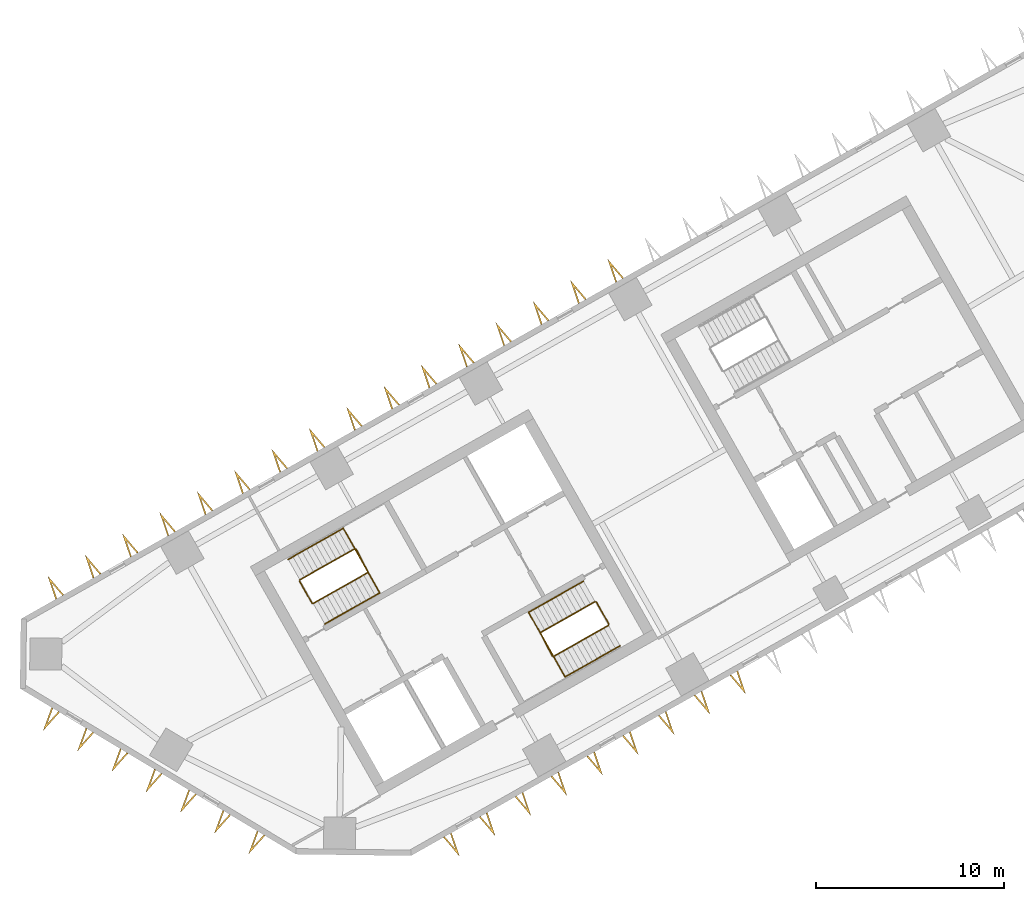
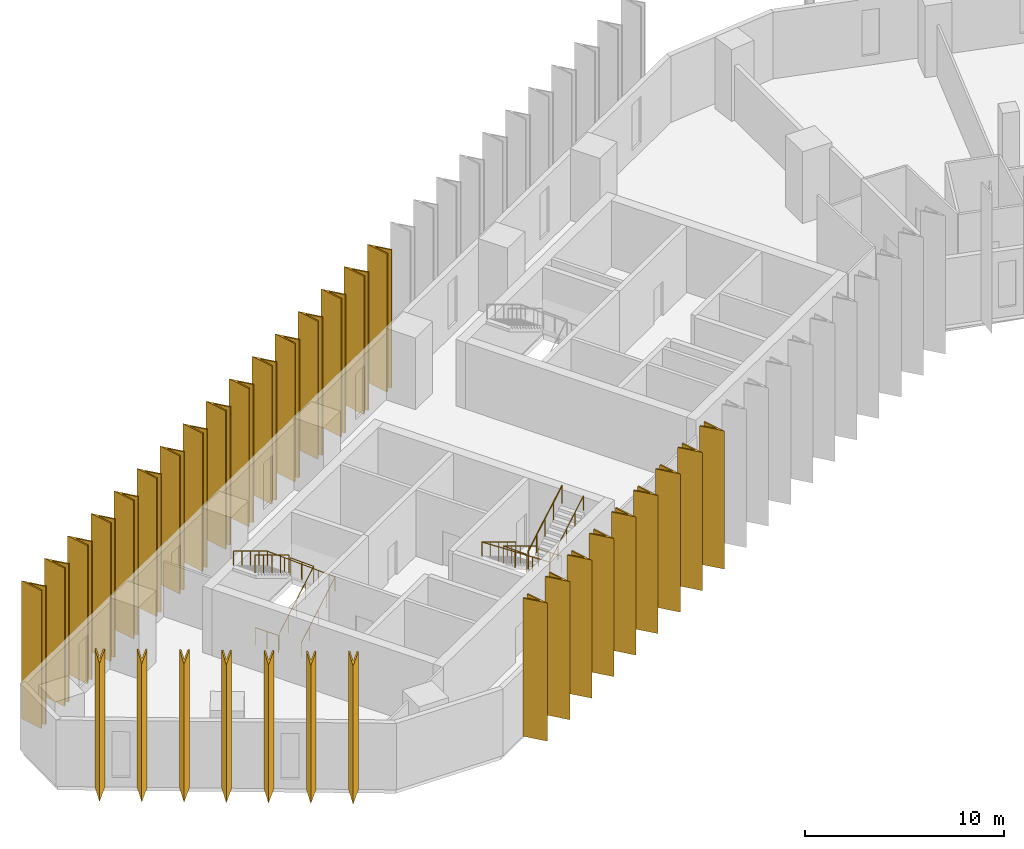
# One storey, part 9 of 11: 32 shading devices, 8 railings.
"""IFC4 building model written with IfcOpenShell, lengths in metres."""

import ifcopenshell
import ifcopenshell.guid

model = None  # the IFC model being written
_history = None  # IfcOwnerHistory: only IFC2X3 demands one
_inside = {}  # id of a spatial element -> (the spatial element, [elements in it])
_under = {}  # id of a project, library or spatial element -> (it, [spatial elements below it])
_declared = {}  # id of a project -> (the project, [libraries it declares])
_typed = {}  # id of a type object -> (the type object, [elements of that type])
_made_of = {}  # id of a material, layer set ... -> (it, [elements and type objects made of it])


def new_model(schema):
    """Start an empty IFC model of exactly this schema.

    Asked for "IFC4X3", IfcOpenShell would pick the latest addendum, in which some entities
    have other attributes; the version numbers below select the first issue.
    IFC2X3 requires an IfcOwnerHistory on every rooted entity: one is made here for all.
    """
    global model, _history
    if schema == "IFC4X3":
        model = ifcopenshell.file(schema_version=(4, 3, 0, 0))
    else:
        model = ifcopenshell.file(schema=schema)
    _inside.clear()
    _under.clear()
    _declared.clear()
    _typed.clear()
    _made_of.clear()
    _history = None
    if model.schema == "IFC2X3":
        org = make("IfcOrganization", Name="unknown")
        user = make(
            "IfcPersonAndOrganization",
            ThePerson=make("IfcPerson", FamilyName="unknown"),
            TheOrganization=org,
        )
        app = make(
            "IfcApplication",
            ApplicationDeveloper=org,
            Version="unknown",
            ApplicationFullName="unknown",
            ApplicationIdentifier="unknown",
        )
        _history = make(
            "IfcOwnerHistory",
            OwningUser=user,
            OwningApplication=app,
            ChangeAction="ADDED",
            CreationDate=0,
        )
    return model


def make(cls, **values):
    """One entity of the class cls with the attributes given. An attribute that is None is left unset."""
    return model.create_entity(
        cls, **{name: value for name, value in values.items() if value is not None}
    )


def rooted(cls, **values):
    """An entity with a GlobalId (a new one), such as an element, a storey or a relation."""
    return make(cls, GlobalId=ifcopenshell.guid.new(), OwnerHistory=_history, **values)


def si_unit(unit_type, name, prefix=None):
    """IfcSIUnit, for example si_unit("LENGTHUNIT", "METRE", prefix="MILLI")."""
    return make("IfcSIUnit", UnitType=unit_type, Prefix=prefix, Name=name)


def assignment(units):
    """IfcUnitAssignment: the units of a project."""
    return None if units is None else make("IfcUnitAssignment", Units=units)


def point(xyz):
    """IfcCartesianPoint."""
    return None if xyz is None else make("IfcCartesianPoint", Coordinates=xyz)


def direction(xyz):
    """IfcDirection."""
    return None if xyz is None else make("IfcDirection", DirectionRatios=xyz)


def frame(location, z_axis=None, x_axis=None):
    """IfcAxis2Placement3D, a coordinate frame: its origin and axes. An axis left out is left unset."""
    return make(
        "IfcAxis2Placement3D",
        Location=point(location),
        Axis=direction(z_axis),
        RefDirection=direction(x_axis),
    )


def frame_2d(location, x_axis=None):
    """IfcAxis2Placement2D, a coordinate frame in the plane: its origin and x axis."""
    return make(
        "IfcAxis2Placement2D", Location=point(location), RefDirection=direction(x_axis)
    )


def origin():
    """The frame at (0, 0, 0) with its axes left unset."""
    return frame((0.0, 0.0, 0.0))


def origin_2d():
    """The frame at (0, 0) in the plane with its x axis left unset."""
    return frame_2d((0.0, 0.0))


def place(relative_to, where):
    """IfcLocalPlacement: puts the frame where relative to a parent placement (None: the world)."""
    return make(
        "IfcLocalPlacement", PlacementRelTo=relative_to, RelativePlacement=where
    )


def context(
    kind, dimensions, precision=None, world=None, true_north=None, identifier=None
):
    """IfcGeometricRepresentationContext, for example the 3D "Model" context."""
    return make(
        "IfcGeometricRepresentationContext",
        ContextIdentifier=identifier,
        ContextType=kind,
        CoordinateSpaceDimension=dimensions,
        Precision=precision,
        WorldCoordinateSystem=world,
        TrueNorth=true_north,
    )


def subcontext(parent, identifier, kind, view, scale=None):
    """IfcGeometricRepresentationSubContext, for example "Body" below "Model"."""
    return make(
        "IfcGeometricRepresentationSubContext",
        ContextIdentifier=identifier,
        ContextType=kind,
        ParentContext=parent,
        TargetScale=scale,
        TargetView=view,
    )


def project(units=None, contexts=None):
    """IfcProject with its units and contexts."""
    return rooted(
        "IfcProject",
        Name="project",
        RepresentationContexts=contexts,
        UnitsInContext=assignment(units),
    )


def spatial(cls, under=None, at=None, **own):
    """A site, building, storey or space (cls), placed at a placement, below another one or the project."""
    s = rooted(cls, ObjectPlacement=at, **own)
    if under is not None:
        _under.setdefault(under.id(), (under, []))[1].append(s)
    return s


def polyline(points):
    """IfcPolyline through the points."""
    return make("IfcPolyline", Points=[point(p) for p in points])


def profile(cls, at=None, kind="AREA", **sizes):
    """A parametric profile (cls). Its sizes go by their IFC names, for example OverallWidth=200.0."""
    return make(cls, ProfileType=kind, Position=at, **sizes)


def circle(**sizes):
    """IfcCircleProfileDef."""
    return profile("IfcCircleProfileDef", **sizes)


def outline(outer, holes=None, kind="AREA"):
    """IfcArbitraryClosedProfileDef: a profile drawn as a closed curve; with holes, ...WithVoids."""
    if holes is None:
        return make("IfcArbitraryClosedProfileDef", ProfileType=kind, OuterCurve=outer)
    return make(
        "IfcArbitraryProfileDefWithVoids",
        ProfileType=kind,
        OuterCurve=outer,
        InnerCurves=holes,
    )


def extrude(swept, where, along, depth):
    """IfcExtrudedAreaSolid: the profile swept, set in the frame where, extruded along a direction by depth."""
    return make(
        "IfcExtrudedAreaSolid",
        SweptArea=swept,
        Position=where,
        ExtrudedDirection=direction(along),
        Depth=depth,
    )


def shape(context_of_items, identifier, shape_type, items):
    """IfcShapeRepresentation: the items that make up one representation, for example the "Body"."""
    return make(
        "IfcShapeRepresentation",
        ContextOfItems=context_of_items,
        RepresentationIdentifier=identifier,
        RepresentationType=shape_type,
        Items=items,
    )


def material(Name=None, Category=None):
    """IfcMaterial."""
    return make("IfcMaterial", Name=Name, Category=Category)


def made_of(thing, what):
    """Note that an element or type object is made of a material, layer set ...; save() writes the relation."""
    if what is not None:
        _made_of.setdefault(what.id(), (what, []))[1].append(thing)
    return thing


def type_object(cls, material=None, **own):
    """A type object (cls), such as IfcWallType, which elements share."""
    return made_of(rooted(cls, **own), material)


def element(
    cls,
    number,
    at=None,
    inside=None,
    cuts=None,
    type_object=None,
    material=None,
    context=None,
    identifier="Body",
    shape_type=None,
    held_by="IfcProductDefinitionShape",
    body=None,
    shapes=None,
    **own,
):
    """One element of the class cls, such as IfcWall. Its Tag is "e" and its number.

    at: its placement. inside: the storey or other place that contains it. cuts: it is an
    opening in that element (IfcRelVoidsElement). A single representation is given by context,
    identifier, shape_type and body (its items); several are given by shapes. held_by: the class
    of the entity that holds the representations. save() writes the other relations.
    """
    e = rooted(cls, Tag="e%d" % number, ObjectPlacement=at, **own)
    if body is not None:
        shapes = [shape(context, identifier, shape_type, body)]
    if shapes is not None:
        e.Representation = make(held_by, Representations=shapes)
    if inside is not None:
        _inside.setdefault(inside.id(), (inside, []))[1].append(e)
    if cuts is not None:
        rooted(
            "IfcRelVoidsElement", RelatingBuildingElement=cuts, RelatedOpeningElement=e
        )
    if type_object is not None:
        _typed.setdefault(type_object.id(), (type_object, []))[1].append(e)
    return made_of(e, material)


def aggregate(whole, parts):
    """IfcRelAggregates: a whole, such as a stair, and the parts it consists of."""
    return rooted("IfcRelAggregates", RelatingObject=whole, RelatedObjects=parts)


def save(model, path):
    """Write the relations noted so far, then the file.

    IfcRelAggregates (storeys below a building ...), IfcRelContainedInSpatialStructure (elements
    in a storey), IfcRelDefinesByType, IfcRelAssociatesMaterial and IfcRelDeclares: one each for
    every whole, place, type object, material and project.
    """
    for whole, parts in _under.values():
        aggregate(whole, parts)
    for where, things in _inside.values():
        rooted(
            "IfcRelContainedInSpatialStructure",
            RelatedElements=things,
            RelatingStructure=where,
        )
    for kind, things in _typed.values():
        rooted("IfcRelDefinesByType", RelatedObjects=things, RelatingType=kind)
    for what, things in _made_of.values():
        rooted("IfcRelAssociatesMaterial", RelatedObjects=things, RelatingMaterial=what)
    for by, libraries in _declared.values():
        rooted("IfcRelDeclares", RelatingContext=by, RelatedDefinitions=libraries)
    model.write(path)


model = new_model("IFC4")

# Units and contexts
model_context = context("Model", 3, precision=1e-05, world=origin(), true_north=direction((0.0, 1.0)))
body_context = subcontext(model_context, "Body", "Model", "MODEL_VIEW")
ifc_project = project(units=[si_unit("LENGTHUNIT", "METRE"), si_unit("AREAUNIT", "SQUARE_METRE"), si_unit("VOLUMEUNIT", "CUBIC_METRE"), si_unit("PLANEANGLEUNIT", "RADIAN"), si_unit("MASSUNIT", "GRAM", prefix="KILO")], contexts=[model_context])

# Site, building, storey
site_placement = place(None, origin())
site = spatial("IfcSite", under=ifc_project, at=site_placement, CompositionType="ELEMENT")
building_placement = place(site_placement, origin())
building = spatial("IfcBuilding", under=site, at=building_placement, Name="Binnacle Exchange Tower", CompositionType="ELEMENT")
storey_placement = place(building_placement, frame((0.0, 0.0, 114.699951171875)))
storey = spatial("IfcBuildingStorey", under=building, at=storey_placement, Name="L23", CompositionType="ELEMENT", Elevation=114.699951171875)

# Railings
ifc_material_1 = material(Name="Steel guard rail", Category="steel")
railing_type_1 = type_object("IfcRailingType", Name="STAIR GUARD 1100", PredefinedType="GUARDRAIL", material=ifc_material_1)
railing_1_placement = place(storey_placement, frame((-43.26171875, 39.71728515625, 0.169189453125)))
element("IfcRailing", 1, at=railing_1_placement, inside=storey, type_object=railing_type_1, Name="L23 STA1 stair guard 1", PredefinedType="GUARDRAIL", context=body_context, shape_type="SweptSolid", body=[
    extrude(circle(Radius=0.02392578125, at=origin_2d()), frame((0.0, 0.0, 1.076171875), z_axis=(0.744867460262, 0.421436531824, 0.517265614832), x_axis=(-0.492433119026, 0.870350287693, 0.0)), (0.0, 0.0, 1.0), 3.926025390625),
    extrude(circle(Radius=0.02392578125, at=origin_2d()), frame((2.92431640625, 1.654541015625, 3.10693359375), z_axis=(-0.460963092712, 0.887419307406, 0.0), x_axis=(-0.887419307406, -0.460963092712, 0.0)), (0.0, 0.0, 1.0), 1.40087890625),
    extrude(circle(Radius=0.02099609375, at=origin_2d()), origin(), (0.0, 0.0, 1.0), 1.052001953125),
    extrude(circle(Radius=0.02099609375, at=origin_2d()), frame((0.73095703125, 0.41357421875, 0.5078125)), (0.0, 0.0, 1.0), 1.052001953125),
    extrude(circle(Radius=0.02099609375, at=origin_2d()), frame((1.462158203125, 0.8271484375, 1.015380859375)), (0.0, 0.0, 1.0), 1.052001953125),
    extrude(circle(Radius=0.02099609375, at=origin_2d()), frame((2.193359375, 1.240966796875, 1.52294921875)), (0.0, 0.0, 1.0), 1.052001953125),
    extrude(circle(Radius=0.02099609375, at=origin_2d()), frame((2.92431640625, 1.654541015625, 2.03076171875)), (0.0, 0.0, 1.0), 1.052001953125),
    extrude(circle(Radius=0.02099609375, at=origin_2d()), frame((2.6015625, 2.276123046875, 2.03076171875)), (0.0, 0.0, 1.0), 1.052001953125),
    extrude(circle(Radius=0.02099609375, at=origin_2d()), frame((2.278564453125, 2.897705078125, 2.03076171875)), (0.0, 0.0, 1.0), 1.052001953125),
])
railing_2_placement = place(storey_placement, frame((-41.05126953125, 42.6337890625, 2.369384765625)))
element("IfcRailing", 2, at=railing_2_placement, inside=storey, type_object=railing_type_1, Name="L23 STA1 stair guard 2", PredefinedType="GUARDRAIL", context=body_context, shape_type="SweptSolid", body=[
    extrude(circle(Radius=0.02392578125, at=origin_2d()), frame((0.0, 0.0, 1.076171875), z_axis=(-0.744895141965, -0.421417011194, 0.517241655469), x_axis=(0.49240197835, -0.870367905955, 0.0)), (0.0, 0.0, 1.0), 3.926025390625),
    extrude(circle(Radius=0.02099609375, at=origin_2d()), origin(), (0.0, 0.0, 1.0), 1.052001953125),
    extrude(circle(Radius=0.02099609375, at=origin_2d()), frame((-0.731201171875, -0.41357421875, 0.5078125)), (0.0, 0.0, 1.0), 1.052001953125),
    extrude(circle(Radius=0.02099609375, at=origin_2d()), frame((-1.46240234375, -0.8271484375, 1.015380859375)), (0.0, 0.0, 1.0), 1.052001953125),
    extrude(circle(Radius=0.02099609375, at=origin_2d()), frame((-2.193359375, -1.240966796875, 1.52294921875)), (0.0, 0.0, 1.0), 1.052001953125),
    extrude(circle(Radius=0.02099609375, at=origin_2d()), frame((-2.924560546875, -1.654541015625, 2.03076171875)), (0.0, 0.0, 1.0), 1.052001953125),
])
railing_3_placement = place(storey_placement, frame((-43.329833984375, 39.736328125, 0.0)))
element("IfcRailing", 3, at=railing_3_placement, inside=storey, type_object=railing_type_1, Name="L23 STA1 stair guard 3", PredefinedType="GUARDRAIL", context=body_context, shape_type="SweptSolid", body=[
    extrude(circle(Radius=0.02392578125, at=origin_2d()), frame((0.0, 0.0, 1.076171875), z_axis=(-0.4924922531, 0.870316827734, 0.0), x_axis=(-0.870316827734, -0.4924922531, 0.0)), (0.0, 0.0, 1.0), 1.349853515625),
    extrude(circle(Radius=0.02099609375, at=origin_2d()), origin(), (0.0, 0.0, 1.0), 1.052001953125),
    extrude(circle(Radius=0.02099609375, at=origin_2d()), frame((-0.33251953125, 0.58740234375, 0.0)), (0.0, 0.0, 1.0), 1.052001953125),
    extrude(circle(Radius=0.02099609375, at=origin_2d()), frame((-0.664794921875, 1.1748046875, 0.0)), (0.0, 0.0, 1.0), 1.052001953125),
])
railing_4_placement = place(storey_placement, frame((-28.265380859375, 39.814453125, 0.169189453125)))
element("IfcRailing", 4, at=railing_4_placement, inside=storey, type_object=railing_type_1, Name="L23 STA2 stair guard 1", PredefinedType="GUARDRAIL", context=body_context, shape_type="SweptSolid", body=[
    extrude(circle(Radius=0.02392578125, at=origin_2d()), frame((0.0, 0.0, 1.076171875), z_axis=(-0.744895141965, -0.421417011194, 0.517241655469), x_axis=(0.49240197835, -0.870367905955, 0.0)), (0.0, 0.0, 1.0), 3.926025390625),
    extrude(circle(Radius=0.02392578125, at=origin_2d()), frame((-2.924560546875, -1.654541015625, 3.10693359375), z_axis=(0.461100321709, -0.887348011391, 0.0), x_axis=(0.887348011391, 0.461100321709, 0.0)), (0.0, 0.0, 1.0), 1.40087890625),
    extrude(circle(Radius=0.02099609375, at=origin_2d()), origin(), (0.0, 0.0, 1.0), 1.052001953125),
    extrude(circle(Radius=0.02099609375, at=origin_2d()), frame((-0.731201171875, -0.41357421875, 0.5078125)), (0.0, 0.0, 1.0), 1.052001953125),
    extrude(circle(Radius=0.02099609375, at=origin_2d()), frame((-1.46240234375, -0.8271484375, 1.015380859375)), (0.0, 0.0, 1.0), 1.052001953125),
    extrude(circle(Radius=0.02099609375, at=origin_2d()), frame((-2.193359375, -1.240966796875, 1.52294921875)), (0.0, 0.0, 1.0), 1.052001953125),
    extrude(circle(Radius=0.02099609375, at=origin_2d()), frame((-2.924560546875, -1.654541015625, 2.03076171875)), (0.0, 0.0, 1.0), 1.052001953125),
    extrude(circle(Radius=0.02099609375, at=origin_2d()), frame((-2.6015625, -2.276123046875, 2.03076171875)), (0.0, 0.0, 1.0), 1.052001953125),
    extrude(circle(Radius=0.02099609375, at=origin_2d()), frame((-2.278564453125, -2.897705078125, 2.03076171875)), (0.0, 0.0, 1.0), 1.052001953125),
])
railing_5_placement = place(storey_placement, frame((-30.475830078125, 36.89794921875, 2.369384765625)))
element("IfcRailing", 5, at=railing_5_placement, inside=storey, type_object=railing_type_1, Name="L23 STA2 stair guard 2", PredefinedType="GUARDRAIL", context=body_context, shape_type="SweptSolid", body=[
    extrude(circle(Radius=0.02392578125, at=origin_2d()), frame((0.0, 0.0, 1.076171875), z_axis=(0.744867460262, 0.421436531824, 0.517265614832), x_axis=(-0.492433119026, 0.870350287693, 0.0)), (0.0, 0.0, 1.0), 3.926025390625),
    extrude(circle(Radius=0.02099609375, at=origin_2d()), origin(), (0.0, 0.0, 1.0), 1.052001953125),
    extrude(circle(Radius=0.02099609375, at=origin_2d()), frame((0.73095703125, 0.41357421875, 0.5078125)), (0.0, 0.0, 1.0), 1.052001953125),
    extrude(circle(Radius=0.02099609375, at=origin_2d()), frame((1.462158203125, 0.8271484375, 1.015380859375)), (0.0, 0.0, 1.0), 1.052001953125),
    extrude(circle(Radius=0.02099609375, at=origin_2d()), frame((2.193359375, 1.240966796875, 1.52294921875)), (0.0, 0.0, 1.0), 1.052001953125),
    extrude(circle(Radius=0.02099609375, at=origin_2d()), frame((2.92431640625, 1.654541015625, 2.03076171875)), (0.0, 0.0, 1.0), 1.052001953125),
])
railing_6_placement = place(storey_placement, frame((-28.197265625, 39.795654296875, 0.0)))
element("IfcRailing", 6, at=railing_6_placement, inside=storey, type_object=railing_type_1, Name="L23 STA2 stair guard 3", PredefinedType="GUARDRAIL", context=body_context, shape_type="SweptSolid", body=[
    extrude(circle(Radius=0.02392578125, at=origin_2d()), frame((0.0, 0.0, 1.076171875), z_axis=(0.49241474071, -0.870360685654, 0.0), x_axis=(0.870360685654, 0.49241474071, 0.0)), (0.0, 0.0, 1.0), 1.35009765625),
    extrude(circle(Radius=0.02099609375, at=origin_2d()), origin(), (0.0, 0.0, 1.0), 1.052001953125),
    extrude(circle(Radius=0.02099609375, at=origin_2d()), frame((0.33251953125, -0.58740234375, 0.0)), (0.0, 0.0, 1.0), 1.052001953125),
    extrude(circle(Radius=0.02099609375, at=origin_2d()), frame((0.664794921875, -1.175048828125, 0.0)), (0.0, 0.0, 1.0), 1.052001953125),
])
ifc_material_2 = material(Name="Steel handrail", Category="steel")
railing_type_2 = type_object("IfcRailingType", Name="STAIR HANDRAIL 900", PredefinedType="HANDRAIL", material=ifc_material_2)
railing_7_placement = place(storey_placement, frame((-42.646240234375, 38.62939453125, 0.169189453125)))
element("IfcRailing", 7, at=railing_7_placement, inside=storey, type_object=railing_type_2, Name="L23 STA1 stair handrail 1", PredefinedType="HANDRAIL", context=body_context, shape_type="SweptSolid", body=[
    extrude(circle(Radius=0.02392578125, at=origin_2d()), frame((0.0, 0.0, 0.8759765625), z_axis=(0.744867460262, 0.421436531824, 0.517265614832), x_axis=(-0.492433119026, 0.870350287693, 0.0)), (0.0, 0.0, 1.0), 3.926025390625),
    extrude(circle(Radius=0.02392578125, at=origin_2d()), frame((2.92431640625, 1.654541015625, 2.90673828125), z_axis=(-0.491961255224, 0.869561741692, 0.042854413346), x_axis=(-0.870361318571, -0.492413622004, 0.0)), (0.0, 0.0, 1.0), 3.95361328125),
    extrude(circle(Radius=0.02392578125, at=origin_2d()), frame((0.979248046875, 5.092529296875, 3.076171875), z_axis=(-0.744867460262, -0.421436531824, 0.517265614832), x_axis=(0.492433119026, -0.870350287693, 0.0)), (0.0, 0.0, 1.0), 3.926025390625),
    extrude(circle(Radius=0.02099609375, at=origin_2d()), origin(), (0.0, 0.0, 1.0), 0.851806640625),
    extrude(circle(Radius=0.02099609375, at=origin_2d()), frame((0.73095703125, 0.41357421875, 0.5078125)), (0.0, 0.0, 1.0), 0.851806640625),
    extrude(circle(Radius=0.02099609375, at=origin_2d()), frame((1.462158203125, 0.8271484375, 1.015380859375)), (0.0, 0.0, 1.0), 0.851806640625),
    extrude(circle(Radius=0.02099609375, at=origin_2d()), frame((2.193359375, 1.240966796875, 1.52294921875)), (0.0, 0.0, 1.0), 0.851806640625),
    extrude(circle(Radius=0.02099609375, at=origin_2d()), frame((2.92431640625, 1.654541015625, 2.03076171875)), (0.0, 0.0, 1.0), 0.851806640625),
    extrude(circle(Radius=0.02099609375, at=origin_2d()), frame((2.43798828125, 2.51416015625, 2.0732421875)), (0.0, 0.0, 1.0), 0.851806640625),
    extrude(circle(Radius=0.02099609375, at=origin_2d()), frame((1.95166015625, 3.37353515625, 2.115478515625)), (0.0, 0.0, 1.0), 0.851806640625),
    extrude(circle(Radius=0.02099609375, at=origin_2d()), frame((1.465576171875, 4.23291015625, 2.15771484375)), (0.0, 0.0, 1.0), 0.851806640625),
    extrude(circle(Radius=0.02099609375, at=origin_2d()), frame((0.979248046875, 5.092529296875, 2.2001953125)), (0.0, 0.0, 1.0), 0.851806640625),
    extrude(circle(Radius=0.02099609375, at=origin_2d()), frame((0.248046875, 4.678955078125, 2.7080078125)), (0.0, 0.0, 1.0), 0.851806640625),
    extrude(circle(Radius=0.02099609375, at=origin_2d()), frame((-0.48291015625, 4.26513671875, 3.215576171875)), (0.0, 0.0, 1.0), 0.851806640625),
    extrude(circle(Radius=0.02099609375, at=origin_2d()), frame((-1.2138671875, 3.8515625, 3.72314453125)), (0.0, 0.0, 1.0), 0.851806640625),
    extrude(circle(Radius=0.02099609375, at=origin_2d()), frame((-1.945068359375, 3.43798828125, 4.23095703125)), (0.0, 0.0, 1.0), 0.851806640625),
])
railing_8_placement = place(storey_placement, frame((-28.880859375, 40.90234375, 0.169189453125)))
element("IfcRailing", 8, at=railing_8_placement, inside=storey, type_object=railing_type_2, Name="L23 STA2 stair handrail 1", PredefinedType="HANDRAIL", context=body_context, shape_type="SweptSolid", body=[
    extrude(circle(Radius=0.02392578125, at=origin_2d()), frame((0.0, 0.0, 0.8759765625), z_axis=(-0.744895141965, -0.421417011194, 0.517241655469), x_axis=(0.49240197835, -0.870367905955, 0.0)), (0.0, 0.0, 1.0), 3.926025390625),
    extrude(circle(Radius=0.02392578125, at=origin_2d()), frame((-2.924560546875, -1.654541015625, 2.90673828125), z_axis=(0.491987672435, -0.869546682008, 0.042856714531), x_axis=(0.87034633103, 0.492440112159, 0.0)), (0.0, 0.0, 1.0), 3.953369140625),
    extrude(circle(Radius=0.02392578125, at=origin_2d()), frame((-0.9794921875, -5.09228515625, 3.076171875), z_axis=(0.744895141965, 0.421417011194, 0.517241655469), x_axis=(-0.49240197835, 0.870367905955, 0.0)), (0.0, 0.0, 1.0), 3.926025390625),
    extrude(circle(Radius=0.02099609375, at=origin_2d()), origin(), (0.0, 0.0, 1.0), 0.851806640625),
    extrude(circle(Radius=0.02099609375, at=origin_2d()), frame((-0.731201171875, -0.41357421875, 0.5078125)), (0.0, 0.0, 1.0), 0.851806640625),
    extrude(circle(Radius=0.02099609375, at=origin_2d()), frame((-1.46240234375, -0.8271484375, 1.015380859375)), (0.0, 0.0, 1.0), 0.851806640625),
    extrude(circle(Radius=0.02099609375, at=origin_2d()), frame((-2.193359375, -1.240966796875, 1.52294921875)), (0.0, 0.0, 1.0), 0.851806640625),
    extrude(circle(Radius=0.02099609375, at=origin_2d()), frame((-2.924560546875, -1.654541015625, 2.03076171875)), (0.0, 0.0, 1.0), 0.851806640625),
    extrude(circle(Radius=0.02099609375, at=origin_2d()), frame((-2.438232421875, -2.513916015625, 2.0732421875)), (0.0, 0.0, 1.0), 0.851806640625),
    extrude(circle(Radius=0.02099609375, at=origin_2d()), frame((-1.9521484375, -3.37353515625, 2.115478515625)), (0.0, 0.0, 1.0), 0.851806640625),
    extrude(circle(Radius=0.02099609375, at=origin_2d()), frame((-1.4658203125, -4.23291015625, 2.15771484375)), (0.0, 0.0, 1.0), 0.851806640625),
    extrude(circle(Radius=0.02099609375, at=origin_2d()), frame((-0.9794921875, -5.09228515625, 2.2001953125)), (0.0, 0.0, 1.0), 0.851806640625),
    extrude(circle(Radius=0.02099609375, at=origin_2d()), frame((-0.248291015625, -4.6787109375, 2.7080078125)), (0.0, 0.0, 1.0), 0.851806640625),
    extrude(circle(Radius=0.02099609375, at=origin_2d()), frame((0.48291015625, -4.26513671875, 3.215576171875)), (0.0, 0.0, 1.0), 0.851806640625),
    extrude(circle(Radius=0.02099609375, at=origin_2d()), frame((1.2138671875, -3.851318359375, 3.72314453125)), (0.0, 0.0, 1.0), 0.851806640625),
    extrude(circle(Radius=0.02099609375, at=origin_2d()), frame((1.945068359375, -3.437744140625, 4.23095703125)), (0.0, 0.0, 1.0), 0.851806640625),
])

# Shading devices
ifc_material_3 = material(Name="Bronze aluminium cladding", Category="aluminium")
shading_device_type = type_object("IfcShadingDeviceType", Name="V FIN 1300 DEEP x 8480 HIGH", PredefinedType="USERDEFINED", material=ifc_material_3)
shading_device_1_placement = place(storey_placement, origin())
element("IfcShadingDevice", 9, at=shading_device_1_placement, inside=storey, type_object=shading_device_type, Name="V fin FN-F03-12 L23", ObjectType="FIN", PredefinedType="USERDEFINED", context=body_context, shape_type="SweptSolid", body=[
    extrude(outline(polyline([(-26.7412109375, 57.04296875), (-27.59912109375, 58.05126953125), (-27.176513671875, 56.796630859375), (-27.10546875, 56.8369140625), (-27.390380859375, 57.6826171875), (-26.81201171875, 57.002685546875), (-26.7412109375, 57.04296875)])), origin(), (0.0, 0.0, 1.0), 8.47998046875),
])
shading_device_2_placement = place(storey_placement, origin())
element("IfcShadingDevice", 10, at=shading_device_2_placement, inside=storey, type_object=shading_device_type, Name="V fin FN-F03-13 L23", ObjectType="FIN", PredefinedType="USERDEFINED", context=body_context, shape_type="SweptSolid", body=[
    extrude(outline(polyline([(-28.727783203125, 55.9189453125), (-29.58544921875, 56.92724609375), (-29.162841796875, 55.672607421875), (-29.092041015625, 55.712890625), (-29.376708984375, 56.55859375), (-28.798583984375, 55.87890625), (-28.727783203125, 55.9189453125)])), origin(), (0.0, 0.0, 1.0), 8.47998046875),
])
shading_device_3_placement = place(storey_placement, origin())
element("IfcShadingDevice", 11, at=shading_device_3_placement, inside=storey, type_object=shading_device_type, Name="V fin FN-F03-14 L23", ObjectType="FIN", PredefinedType="USERDEFINED", context=body_context, shape_type="SweptSolid", body=[
    extrude(outline(polyline([(-30.71435546875, 54.794921875), (-31.572021484375, 55.803466796875), (-31.1494140625, 54.548828125), (-31.07861328125, 54.5888671875), (-31.36328125, 55.434814453125), (-30.78515625, 54.7548828125), (-30.71435546875, 54.794921875)])), origin(), (0.0, 0.0, 1.0), 8.47998046875),
])
shading_device_4_placement = place(storey_placement, origin())
element("IfcShadingDevice", 12, at=shading_device_4_placement, inside=storey, type_object=shading_device_type, Name="V fin FN-F03-15 L23", ObjectType="FIN", PredefinedType="USERDEFINED", context=body_context, shape_type="SweptSolid", body=[
    extrude(outline(polyline([(-32.70068359375, 53.6708984375), (-33.55859375, 54.679443359375), (-33.135986328125, 53.4248046875), (-33.065185546875, 53.46484375), (-33.349853515625, 54.310791015625), (-32.771728515625, 53.630859375), (-32.70068359375, 53.6708984375)])), origin(), (0.0, 0.0, 1.0), 8.47998046875),
])
shading_device_5_placement = place(storey_placement, origin())
element("IfcShadingDevice", 13, at=shading_device_5_placement, inside=storey, type_object=shading_device_type, Name="V fin FN-F03-16 L23", ObjectType="FIN", PredefinedType="USERDEFINED", context=body_context, shape_type="SweptSolid", body=[
    extrude(outline(polyline([(-34.687255859375, 52.547119140625), (-35.545166015625, 53.555419921875), (-35.12255859375, 52.30078125), (-35.051513671875, 52.341064453125), (-35.33642578125, 53.186767578125), (-34.75830078125, 52.507080078125), (-34.687255859375, 52.547119140625)])), origin(), (0.0, 0.0, 1.0), 8.47998046875),
])
shading_device_6_placement = place(storey_placement, origin())
element("IfcShadingDevice", 14, at=shading_device_6_placement, inside=storey, type_object=shading_device_type, Name="V fin FN-F03-17 L23", ObjectType="FIN", PredefinedType="USERDEFINED", context=body_context, shape_type="SweptSolid", body=[
    extrude(outline(polyline([(-36.673828125, 51.423095703125), (-37.53173828125, 52.431640625), (-37.109130859375, 51.177001953125), (-37.0380859375, 51.217041015625), (-37.322998046875, 52.06298828125), (-36.744873046875, 51.383056640625), (-36.673828125, 51.423095703125)])), origin(), (0.0, 0.0, 1.0), 8.47998046875),
])
shading_device_7_placement = place(storey_placement, origin())
element("IfcShadingDevice", 15, at=shading_device_7_placement, inside=storey, type_object=shading_device_type, Name="V fin FN-F03-18 L23", ObjectType="FIN", PredefinedType="USERDEFINED", context=body_context, shape_type="SweptSolid", body=[
    extrude(outline(polyline([(-38.660400390625, 50.29931640625), (-39.518310546875, 51.3076171875), (-39.095703125, 50.052978515625), (-39.02490234375, 50.093017578125), (-39.3095703125, 50.93896484375), (-38.7314453125, 50.259033203125), (-38.660400390625, 50.29931640625)])), origin(), (0.0, 0.0, 1.0), 8.47998046875),
])
shading_device_8_placement = place(storey_placement, origin())
element("IfcShadingDevice", 16, at=shading_device_8_placement, inside=storey, type_object=shading_device_type, Name="V fin FN-F03-19 L23", ObjectType="FIN", PredefinedType="USERDEFINED", context=body_context, shape_type="SweptSolid", body=[
    extrude(outline(polyline([(-40.64697265625, 49.17529296875), (-41.5048828125, 50.18359375), (-41.082275390625, 48.92919921875), (-41.01123046875, 48.96923828125), (-41.296142578125, 49.81494140625), (-40.718017578125, 49.13525390625), (-40.64697265625, 49.17529296875)])), origin(), (0.0, 0.0, 1.0), 8.47998046875),
])
shading_device_9_placement = place(storey_placement, origin())
element("IfcShadingDevice", 17, at=shading_device_9_placement, inside=storey, type_object=shading_device_type, Name="V fin FN-F03-20 L23", ObjectType="FIN", PredefinedType="USERDEFINED", context=body_context, shape_type="SweptSolid", body=[
    extrude(outline(polyline([(-42.633544921875, 48.05126953125), (-43.491455078125, 49.059814453125), (-43.06884765625, 47.80517578125), (-42.997802734375, 47.84521484375), (-43.28271484375, 48.69091796875), (-42.70458984375, 48.01123046875), (-42.633544921875, 48.05126953125)])), origin(), (0.0, 0.0, 1.0), 8.47998046875),
])
shading_device_10_placement = place(storey_placement, origin())
element("IfcShadingDevice", 18, at=shading_device_10_placement, inside=storey, type_object=shading_device_type, Name="V fin FN-F03-21 L23", ObjectType="FIN", PredefinedType="USERDEFINED", context=body_context, shape_type="SweptSolid", body=[
    extrude(outline(polyline([(-44.6201171875, 46.927490234375), (-45.47802734375, 47.935791015625), (-45.055419921875, 46.68115234375), (-44.984619140625, 46.72119140625), (-45.269287109375, 47.567138671875), (-44.691162109375, 46.88720703125), (-44.6201171875, 46.927490234375)])), origin(), (0.0, 0.0, 1.0), 8.47998046875),
])
shading_device_11_placement = place(storey_placement, origin())
element("IfcShadingDevice", 19, at=shading_device_11_placement, inside=storey, type_object=shading_device_type, Name="V fin FN-F03-22 L23", ObjectType="FIN", PredefinedType="USERDEFINED", context=body_context, shape_type="SweptSolid", body=[
    extrude(outline(polyline([(-46.606689453125, 45.803466796875), (-47.464599609375, 46.81201171875), (-47.0419921875, 45.557373046875), (-46.970947265625, 45.597412109375), (-47.255859375, 46.443115234375), (-46.677490234375, 45.763427734375), (-46.606689453125, 45.803466796875)])), origin(), (0.0, 0.0, 1.0), 8.47998046875),
])
shading_device_12_placement = place(storey_placement, origin())
element("IfcShadingDevice", 20, at=shading_device_12_placement, inside=storey, type_object=shading_device_type, Name="V fin FN-F03-23 L23", ObjectType="FIN", PredefinedType="USERDEFINED", context=body_context, shape_type="SweptSolid", body=[
    extrude(outline(polyline([(-48.59326171875, 44.679443359375), (-49.451171875, 45.68798828125), (-49.028564453125, 44.433349609375), (-48.95751953125, 44.473388671875), (-49.242431640625, 45.319091796875), (-48.664306640625, 44.639404296875), (-48.59326171875, 44.679443359375)])), origin(), (0.0, 0.0, 1.0), 8.47998046875),
])
shading_device_13_placement = place(storey_placement, origin())
element("IfcShadingDevice", 21, at=shading_device_13_placement, inside=storey, type_object=shading_device_type, Name="V fin FN-F03-24 L23", ObjectType="FIN", PredefinedType="USERDEFINED", context=body_context, shape_type="SweptSolid", body=[
    extrude(outline(polyline([(-50.579833984375, 43.5556640625), (-51.4375, 44.56396484375), (-51.014892578125, 43.309326171875), (-50.944091796875, 43.349609375), (-51.22900390625, 44.1953125), (-50.650634765625, 43.515380859375), (-50.579833984375, 43.5556640625)])), origin(), (0.0, 0.0, 1.0), 8.47998046875),
])
shading_device_14_placement = place(storey_placement, origin())
element("IfcShadingDevice", 22, at=shading_device_14_placement, inside=storey, type_object=shading_device_type, Name="V fin FN-F03-25 L23", ObjectType="FIN", PredefinedType="USERDEFINED", context=body_context, shape_type="SweptSolid", body=[
    extrude(outline(polyline([(-52.56640625, 42.431640625), (-53.42431640625, 43.440185546875), (-53.001708984375, 42.185546875), (-52.9306640625, 42.2255859375), (-53.215576171875, 43.0712890625), (-52.63720703125, 42.3916015625), (-52.56640625, 42.431640625)])), origin(), (0.0, 0.0, 1.0), 8.47998046875),
])
shading_device_15_placement = place(storey_placement, origin())
element("IfcShadingDevice", 23, at=shading_device_15_placement, inside=storey, type_object=shading_device_type, Name="V fin FN-F03-26 L23", ObjectType="FIN", PredefinedType="USERDEFINED", context=body_context, shape_type="SweptSolid", body=[
    extrude(outline(polyline([(-54.552978515625, 41.3076171875), (-55.410888671875, 42.316162109375), (-54.98828125, 41.0615234375), (-54.917236328125, 41.1015625), (-55.2021484375, 41.947509765625), (-54.623779296875, 41.267578125), (-54.552978515625, 41.3076171875)])), origin(), (0.0, 0.0, 1.0), 8.47998046875),
])
shading_device_16_placement = place(storey_placement, origin())
element("IfcShadingDevice", 24, at=shading_device_16_placement, inside=storey, type_object=shading_device_type, Name="V fin FN-F03-27 L23", ObjectType="FIN", PredefinedType="USERDEFINED", context=body_context, shape_type="SweptSolid", body=[
    extrude(outline(polyline([(-56.53955078125, 40.183837890625), (-57.397216796875, 41.192138671875), (-56.974609375, 39.9375), (-56.90380859375, 39.977783203125), (-57.188720703125, 40.823486328125), (-56.6103515625, 40.143798828125), (-56.53955078125, 40.183837890625)])), origin(), (0.0, 0.0, 1.0), 8.47998046875),
])
shading_device_17_placement = place(storey_placement, origin())
element("IfcShadingDevice", 25, at=shading_device_17_placement, inside=storey, type_object=shading_device_type, Name="V fin FN-F05-01 L23", ObjectType="FIN", PredefinedType="USERDEFINED", context=body_context, shape_type="SweptSolid", body=[
    extrude(outline(polyline([(-57.18603515625, 34.185791015625), (-57.641357421875, 32.94287109375), (-56.757568359375, 33.92822265625), (-56.827392578125, 33.97021484375), (-57.423095703125, 33.305908203125), (-57.1162109375, 34.143798828125), (-57.18603515625, 34.185791015625)])), origin(), (0.0, 0.0, 1.0), 8.47998046875),
])
shading_device_18_placement = place(storey_placement, origin())
element("IfcShadingDevice", 26, at=shading_device_18_placement, inside=storey, type_object=shading_device_type, Name="V fin FN-F05-02 L23", ObjectType="FIN", PredefinedType="USERDEFINED", context=body_context, shape_type="SweptSolid", body=[
    extrude(outline(polyline([(-55.364501953125, 33.09130859375), (-55.81982421875, 31.848388671875), (-54.93603515625, 32.833740234375), (-55.005859375, 32.875732421875), (-55.601806640625, 32.21142578125), (-55.294921875, 33.04931640625), (-55.364501953125, 33.09130859375)])), origin(), (0.0, 0.0, 1.0), 8.47998046875),
])
shading_device_19_placement = place(storey_placement, origin())
element("IfcShadingDevice", 27, at=shading_device_19_placement, inside=storey, type_object=shading_device_type, Name="V fin FN-F05-03 L23", ObjectType="FIN", PredefinedType="USERDEFINED", context=body_context, shape_type="SweptSolid", body=[
    extrude(outline(polyline([(-53.543212890625, 31.9970703125), (-53.998291015625, 30.75390625), (-53.114501953125, 31.739501953125), (-53.184326171875, 31.781494140625), (-53.7802734375, 31.116943359375), (-53.473388671875, 31.955078125), (-53.543212890625, 31.9970703125)])), origin(), (0.0, 0.0, 1.0), 8.47998046875),
])
shading_device_20_placement = place(storey_placement, origin())
element("IfcShadingDevice", 28, at=shading_device_20_placement, inside=storey, type_object=shading_device_type, Name="V fin FN-F05-04 L23", ObjectType="FIN", PredefinedType="USERDEFINED", context=body_context, shape_type="SweptSolid", body=[
    extrude(outline(polyline([(-51.7216796875, 30.902587890625), (-52.1767578125, 29.659423828125), (-51.29296875, 30.64501953125), (-51.36279296875, 30.68701171875), (-51.958740234375, 30.0224609375), (-51.65185546875, 30.860595703125), (-51.7216796875, 30.902587890625)])), origin(), (0.0, 0.0, 1.0), 8.47998046875),
])
shading_device_21_placement = place(storey_placement, origin())
element("IfcShadingDevice", 29, at=shading_device_21_placement, inside=storey, type_object=shading_device_type, Name="V fin FN-F05-05 L23", ObjectType="FIN", PredefinedType="USERDEFINED", context=body_context, shape_type="SweptSolid", body=[
    extrude(outline(polyline([(-49.900146484375, 29.80810546875), (-50.35546875, 28.56494140625), (-49.4716796875, 29.55029296875), (-49.54150390625, 29.59228515625), (-50.13720703125, 28.927978515625), (-49.830322265625, 29.76611328125), (-49.900146484375, 29.80810546875)])), origin(), (0.0, 0.0, 1.0), 8.47998046875),
])
shading_device_22_placement = place(storey_placement, origin())
element("IfcShadingDevice", 30, at=shading_device_22_placement, inside=storey, type_object=shading_device_type, Name="V fin FN-F05-06 L23", ObjectType="FIN", PredefinedType="USERDEFINED", context=body_context, shape_type="SweptSolid", body=[
    extrude(outline(polyline([(-48.07861328125, 28.713623046875), (-48.533935546875, 27.470458984375), (-47.650146484375, 28.4560546875), (-47.719970703125, 28.498046875), (-48.31591796875, 27.83349609375), (-48.0087890625, 28.671630859375), (-48.07861328125, 28.713623046875)])), origin(), (0.0, 0.0, 1.0), 8.47998046875),
])
shading_device_23_placement = place(storey_placement, origin())
element("IfcShadingDevice", 31, at=shading_device_23_placement, inside=storey, type_object=shading_device_type, Name="V fin FN-F05-07 L23", ObjectType="FIN", PredefinedType="USERDEFINED", context=body_context, shape_type="SweptSolid", body=[
    extrude(outline(polyline([(-46.257080078125, 27.619140625), (-46.71240234375, 26.3759765625), (-45.82861328125, 27.361572265625), (-45.8984375, 27.403564453125), (-46.494384765625, 26.739013671875), (-46.1875, 27.5771484375), (-46.257080078125, 27.619140625)])), origin(), (0.0, 0.0, 1.0), 8.47998046875),
])
shading_device_24_placement = place(storey_placement, origin())
element("IfcShadingDevice", 32, at=shading_device_24_placement, inside=storey, type_object=shading_device_type, Name="V fin FN-F07-01 L23", ObjectType="FIN", PredefinedType="USERDEFINED", context=body_context, shape_type="SweptSolid", body=[
    extrude(outline(polyline([(-36.336669921875, 27.269287109375), (-35.47900390625, 26.260986328125), (-35.901611328125, 27.515625), (-35.972412109375, 27.4755859375), (-35.6875, 26.629638671875), (-36.265869140625, 27.3095703125), (-36.336669921875, 27.269287109375)])), origin(), (0.0, 0.0, 1.0), 8.47998046875),
])
shading_device_25_placement = place(storey_placement, origin())
element("IfcShadingDevice", 33, at=shading_device_25_placement, inside=storey, type_object=shading_device_type, Name="V fin FN-F07-02 L23", ObjectType="FIN", PredefinedType="USERDEFINED", context=body_context, shape_type="SweptSolid", body=[
    extrude(outline(polyline([(-34.431640625, 28.34716796875), (-33.573974609375, 27.338623046875), (-33.99658203125, 28.59326171875), (-34.0673828125, 28.55322265625), (-33.78271484375, 27.70751953125), (-34.36083984375, 28.38720703125), (-34.431640625, 28.34716796875)])), origin(), (0.0, 0.0, 1.0), 8.47998046875),
])
shading_device_26_placement = place(storey_placement, origin())
element("IfcShadingDevice", 34, at=shading_device_26_placement, inside=storey, type_object=shading_device_type, Name="V fin FN-F07-03 L23", ObjectType="FIN", PredefinedType="USERDEFINED", context=body_context, shape_type="SweptSolid", body=[
    extrude(outline(polyline([(-32.52685546875, 29.4248046875), (-31.669189453125, 28.41650390625), (-32.091796875, 29.671142578125), (-32.16259765625, 29.631103515625), (-31.877685546875, 28.78515625), (-32.4560546875, 29.465087890625), (-32.52685546875, 29.4248046875)])), origin(), (0.0, 0.0, 1.0), 8.47998046875),
])
shading_device_27_placement = place(storey_placement, origin())
element("IfcShadingDevice", 35, at=shading_device_27_placement, inside=storey, type_object=shading_device_type, Name="V fin FN-F07-04 L23", ObjectType="FIN", PredefinedType="USERDEFINED", context=body_context, shape_type="SweptSolid", body=[
    extrude(outline(polyline([(-30.6220703125, 30.502685546875), (-29.76416015625, 29.494140625), (-30.186767578125, 30.748779296875), (-30.2578125, 30.708740234375), (-29.972900390625, 29.86279296875), (-30.551025390625, 30.542724609375), (-30.6220703125, 30.502685546875)])), origin(), (0.0, 0.0, 1.0), 8.47998046875),
])
shading_device_28_placement = place(storey_placement, origin())
element("IfcShadingDevice", 36, at=shading_device_28_placement, inside=storey, type_object=shading_device_type, Name="V fin FN-F07-05 L23", ObjectType="FIN", PredefinedType="USERDEFINED", context=body_context, shape_type="SweptSolid", body=[
    extrude(outline(polyline([(-28.717041015625, 31.580322265625), (-27.859375, 30.572021484375), (-28.281982421875, 31.826416015625), (-28.352783203125, 31.786376953125), (-28.068115234375, 30.940673828125), (-28.646240234375, 31.620361328125), (-28.717041015625, 31.580322265625)])), origin(), (0.0, 0.0, 1.0), 8.47998046875),
])
shading_device_29_placement = place(storey_placement, origin())
element("IfcShadingDevice", 37, at=shading_device_29_placement, inside=storey, type_object=shading_device_type, Name="V fin FN-F07-06 L23", ObjectType="FIN", PredefinedType="USERDEFINED", context=body_context, shape_type="SweptSolid", body=[
    extrude(outline(polyline([(-26.812255859375, 32.658203125), (-25.954345703125, 31.649658203125), (-26.376953125, 32.904296875), (-26.447998046875, 32.8642578125), (-26.1630859375, 32.018310546875), (-26.7412109375, 32.6982421875), (-26.812255859375, 32.658203125)])), origin(), (0.0, 0.0, 1.0), 8.47998046875),
])
shading_device_30_placement = place(storey_placement, origin())
element("IfcShadingDevice", 38, at=shading_device_30_placement, inside=storey, type_object=shading_device_type, Name="V fin FN-F07-07 L23", ObjectType="FIN", PredefinedType="USERDEFINED", context=body_context, shape_type="SweptSolid", body=[
    extrude(outline(polyline([(-24.9072265625, 33.73583984375), (-24.049560546875, 32.727294921875), (-24.47216796875, 33.98193359375), (-24.54296875, 33.94189453125), (-24.25830078125, 33.09619140625), (-24.83642578125, 33.77587890625), (-24.9072265625, 33.73583984375)])), origin(), (0.0, 0.0, 1.0), 8.47998046875),
])
shading_device_31_placement = place(storey_placement, origin())
element("IfcShadingDevice", 39, at=shading_device_31_placement, inside=storey, type_object=shading_device_type, Name="V fin FN-F07-08 L23", ObjectType="FIN", PredefinedType="USERDEFINED", context=body_context, shape_type="SweptSolid", body=[
    extrude(outline(polyline([(-23.00244140625, 34.8134765625), (-22.14453125, 33.80517578125), (-22.567138671875, 35.059814453125), (-22.63818359375, 35.01953125), (-22.353271484375, 34.173828125), (-22.931396484375, 34.853515625), (-23.00244140625, 34.8134765625)])), origin(), (0.0, 0.0, 1.0), 8.47998046875),
])
shading_device_32_placement = place(storey_placement, origin())
element("IfcShadingDevice", 40, at=shading_device_32_placement, inside=storey, type_object=shading_device_type, Name="V fin FN-F07-09 L23", ObjectType="FIN", PredefinedType="USERDEFINED", context=body_context, shape_type="SweptSolid", body=[
    extrude(outline(polyline([(-21.097412109375, 35.891357421875), (-20.23974609375, 34.8828125), (-20.662353515625, 36.137451171875), (-20.733154296875, 36.097412109375), (-20.448486328125, 35.251708984375), (-21.026611328125, 35.931396484375), (-21.097412109375, 35.891357421875)])), origin(), (0.0, 0.0, 1.0), 8.47998046875),
])

save(model, "model.ifc")
